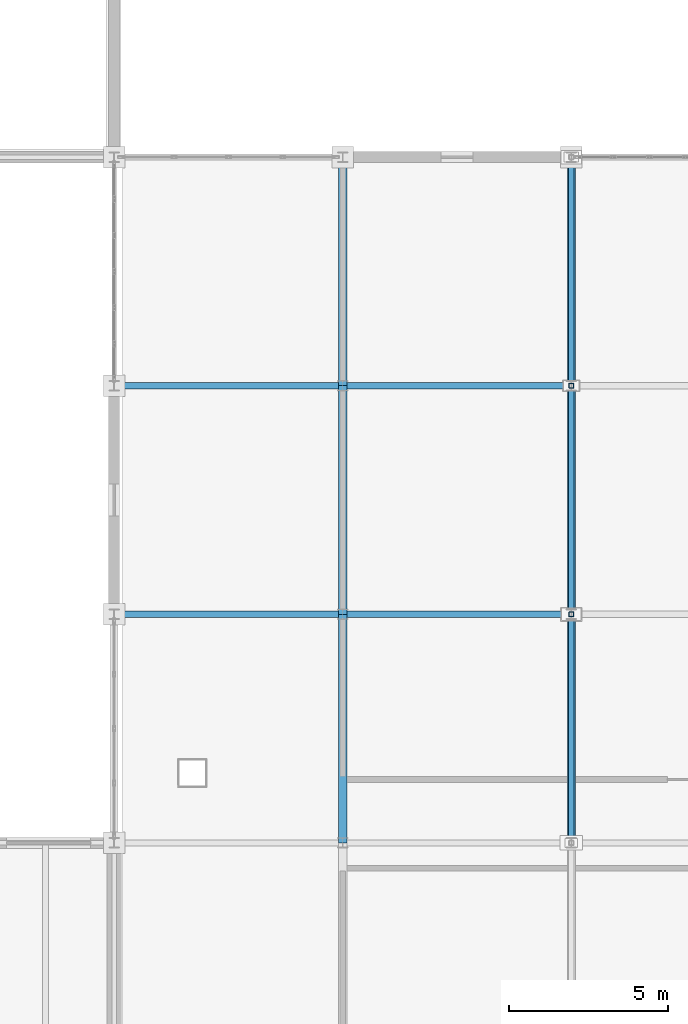
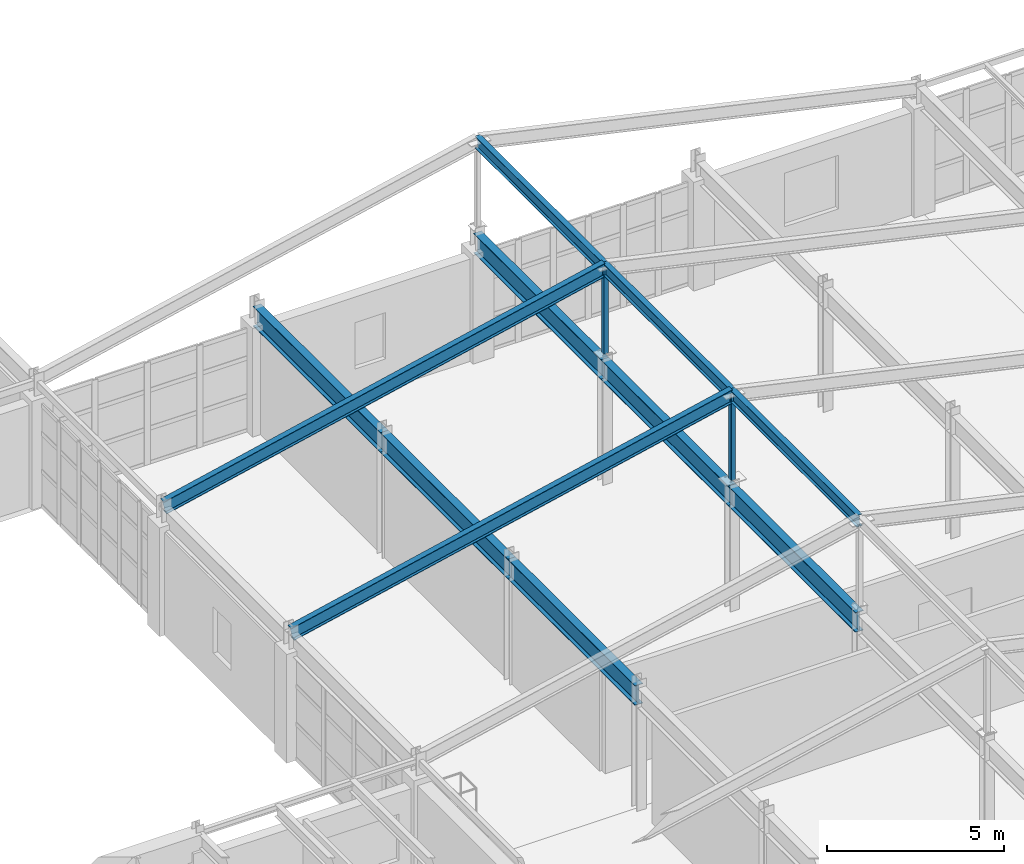
# One storey, part 87 of 137: 11 beams, 2 members.
"""IFC4 building model written with IfcOpenShell, lengths in metres."""

from ifc_helpers import new_model, si_unit, direction, frame, origin, origin_2d, place, context, subcontext, project, spatial, hollow_rectangle, i_section, extrude, material, material_profile, profile_set, type_object, element, save


model = new_model("IFC4")

# Units and contexts
model_context = context("Model", 3, precision=1e-05, world=origin(), true_north=direction((0.0, 1.0)))
body_context = subcontext(model_context, "Body", "Model", "MODEL_VIEW")
ifc_project = project(units=[si_unit("LENGTHUNIT", "METRE"), si_unit("AREAUNIT", "SQUARE_METRE"), si_unit("VOLUMEUNIT", "CUBIC_METRE"), si_unit("PLANEANGLEUNIT", "RADIAN"), si_unit("MASSUNIT", "GRAM", prefix="KILO")], contexts=[model_context])

# Site, building, storey
site_placement = place(None, origin())
site = spatial("IfcSite", under=ifc_project, at=site_placement, CompositionType="ELEMENT")
building_placement = place(site_placement, origin())
building = spatial("IfcBuilding", under=site, at=building_placement, Name="Kemerveld Promenade Tramway Depot", CompositionType="ELEMENT")
storey_placement = place(building_placement, frame((0.0, 0.0, 5.39990234375)))
storey = spatial("IfcBuildingStorey", under=building, at=storey_placement, Name="L01", CompositionType="ELEMENT", Elevation=5.39990234375)

# Beams
ifc_material = material(Name="Steel S355", Category="steel")
ifc_material_profile_1 = material_profile(ifc_material, i_section(OverallWidth=0.25439453125, OverallDepth=0.6875, WebThickness=0.01318359375, FlangeThickness=0.02099609375, FilletRadius=0.01513671875, at=origin_2d()), Name="686x254x152 UB")
ifc_profile_set_1 = profile_set([ifc_material_profile_1], Name="Steel S355")
beam_type_1 = type_object("IfcBeamType", Name="BM-G03", PredefinedType="BEAM", material=ifc_profile_set_1)
for number, where, z_axis, x_axis, name in (
    (1, (165.60009765625, 28.800048828125, 3.896484375), (0.0, 1.0, 0.0), (-1.0, 0.0, 0.0), "BMY-L01-24-E-F"),
    (2, (165.60009765625, 36.0, 3.896484375), (0.0, 1.0, 0.0), (-1.0, 0.0, 0.0), "BMY-L01-24-F-G"),
    (3, (165.60009765625, 43.199951171875, 3.896484375), (0.0, 1.0, 0.0), (-1.0, 0.0, 0.0), "BMY-L01-24-G-H"),
    (4, (172.800048828125, 28.800048828125, 3.896484375), (0.0, 1.0, 0.0), (-1.0, 0.0, 0.0), "BMY-L01-25-E-F"),
    (5, (172.800048828125, 36.0, 3.896484375), (0.0, 1.0, 0.0), (-1.0, 0.0, 0.0), "BMY-L01-25-F-G"),
    (6, (172.800048828125, 43.199951171875, 3.896484375), (0.0, 1.0, 0.0), (-1.0, 0.0, 0.0), "BMY-L01-25-G-H"),
):
    element("IfcBeam", number, at=place(storey_placement, frame(where, z_axis=z_axis, x_axis=x_axis)), inside=storey, type_object=beam_type_1, Name=name, PredefinedType="BEAM", context=body_context, shape_type="SweptSolid", body=[
        extrude(i_section(OverallWidth=0.25439453125, OverallDepth=0.6875, WebThickness=0.01318359375, FlangeThickness=0.02099609375, FilletRadius=0.01513671875, at=origin_2d()), origin(), (0.0, 0.0, 1.0), 7.199951171875),
    ])
ifc_material_profile_2 = material_profile(ifc_material, i_section(OverallWidth=0.19140625, OverallDepth=0.4599609375, WebThickness=0.010009765625, FlangeThickness=0.01611328125, FilletRadius=0.01025390625, at=origin_2d()), Name="457x191x82 UB")
ifc_profile_set_2 = profile_set([ifc_material_profile_2], Name="Steel S355")
beam_type_2 = type_object("IfcBeamType", Name="BM-G06", PredefinedType="BEAM", material=ifc_profile_set_2)
for number, where, z_axis, x_axis, name in (
    (7, (158.39990234375, 36.0, 4.175048828125), (0.976188228429, 0.0, 0.216925200651), (0.0, 1.0, 0.0), "RAF-V2W-F-A"),
    (8, (158.39990234375, 43.199951171875, 4.175048828125), (0.976188228429, 0.0, 0.216925200651), (0.0, 1.0, 0.0), "RAF-V2W-G-A"),
):
    element("IfcBeam", number, at=place(storey_placement, frame(where, z_axis=z_axis, x_axis=x_axis)), inside=storey, type_object=beam_type_2, Name=name, PredefinedType="BEAM", context=body_context, shape_type="SweptSolid", body=[
        extrude(i_section(OverallWidth=0.19140625, OverallDepth=0.4599609375, WebThickness=0.010009765625, FlangeThickness=0.01611328125, FilletRadius=0.01025390625, at=origin_2d()), origin(), (0.0, 0.0, 1.0), 14.75146484375),
    ])
ifc_material_profile_3 = material_profile(ifc_material, i_section(OverallWidth=0.1787109375, OverallDepth=0.409423828125, WebThickness=0.0087890625, FlangeThickness=0.014404296875, FilletRadius=0.01025390625, at=origin_2d()), Name="406x178x67 UB")
ifc_profile_set_3 = profile_set([ifc_material_profile_3], Name="Steel S355")
beam_type_3 = type_object("IfcBeamType", Name="BM-G07", PredefinedType="BEAM", material=ifc_profile_set_3)
for number, where, z_axis, x_axis, name in (
    (9, (172.800048828125, 28.800048828125, 7.375), (0.0, 1.0, 0.0), (-1.0, 0.0, 0.0), "BM-RDG-V2-5"),
    (10, (172.800048828125, 36.0, 7.375), (0.0, 1.0, 0.0), (-1.0, 0.0, 0.0), "BM-RDG-V2-6"),
    (11, (172.800048828125, 43.199951171875, 7.375), (0.0, 1.0, 0.0), (-1.0, 0.0, 0.0), "BM-RDG-V2-7"),
):
    element("IfcBeam", number, at=place(storey_placement, frame(where, z_axis=z_axis, x_axis=x_axis)), inside=storey, type_object=beam_type_3, Name=name, PredefinedType="BEAM", context=body_context, shape_type="SweptSolid", body=[
        extrude(i_section(OverallWidth=0.1787109375, OverallDepth=0.409423828125, WebThickness=0.0087890625, FlangeThickness=0.014404296875, FilletRadius=0.01025390625, at=origin_2d()), origin(), (0.0, 0.0, 1.0), 7.199951171875),
    ])

# Members
ifc_material_profile_4 = material_profile(ifc_material, hollow_rectangle(XDim=0.14990234375, YDim=0.14990234375, WallThickness=0.008056640625, InnerFilletRadius=0.00390625, OuterFilletRadius=0.011962890625, at=origin_2d()), Name="150x150x8.0 SHS")
ifc_profile_set_4 = profile_set([ifc_material_profile_4], Name="Steel S355")
member_type = type_object("IfcMemberType", Name="MB-TP2", PredefinedType="POST", material=ifc_profile_set_4)
for number, where, z_axis, x_axis, name in (
    (12, (172.800048828125, 36.0, 4.4501953125), (0.0, 0.0, 1.0), (1.0, 0.0, 0.0), "POST-RDG-V2-F"),
    (13, (172.800048828125, 43.199951171875, 4.4501953125), (0.0, 0.0, 1.0), (1.0, 0.0, 0.0), "POST-RDG-V2-G"),
):
    element("IfcMember", number, at=place(storey_placement, frame(where, z_axis=z_axis, x_axis=x_axis)), inside=storey, type_object=member_type, Name=name, PredefinedType="POST", context=body_context, shape_type="SweptSolid", body=[
        extrude(hollow_rectangle(XDim=0.14990234375, YDim=0.14990234375, WallThickness=0.008056640625, InnerFilletRadius=0.00390625, OuterFilletRadius=0.011962890625, at=origin_2d()), origin(), (0.0, 0.0, 1.0), 2.96484375),
    ])

save(model, "model.ifc")
